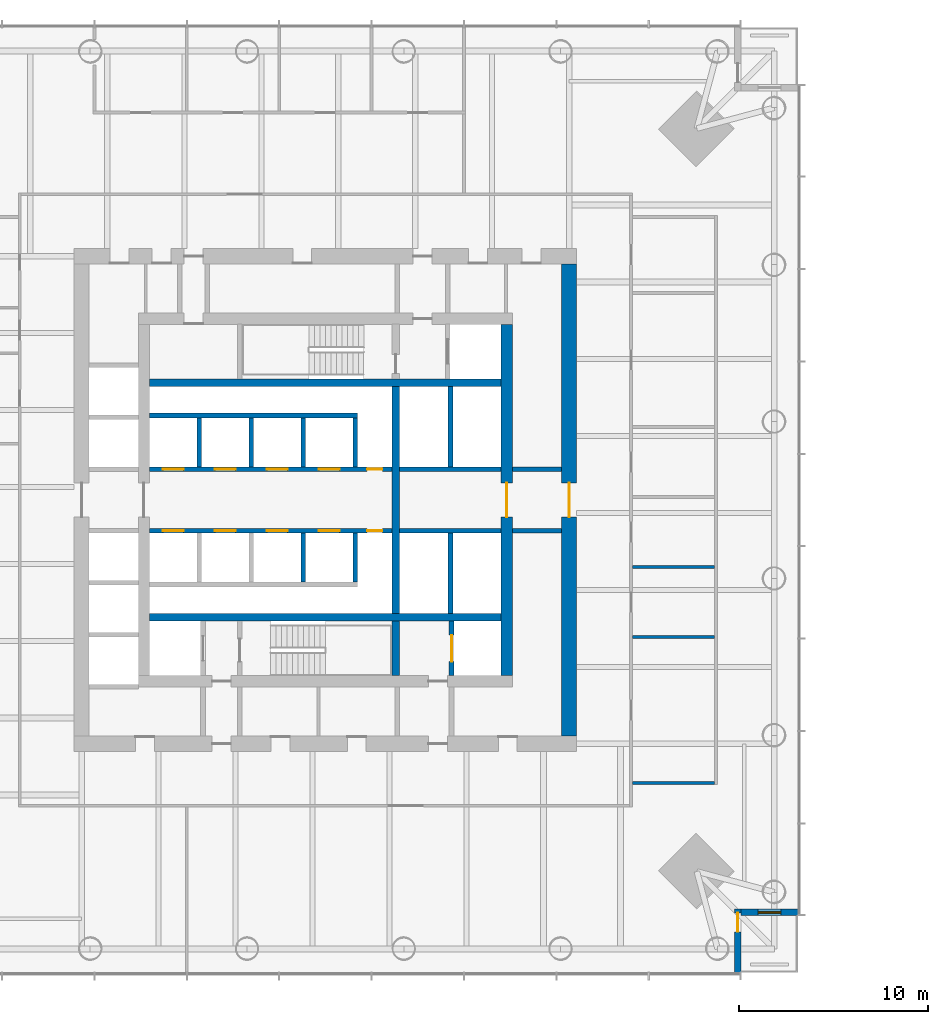
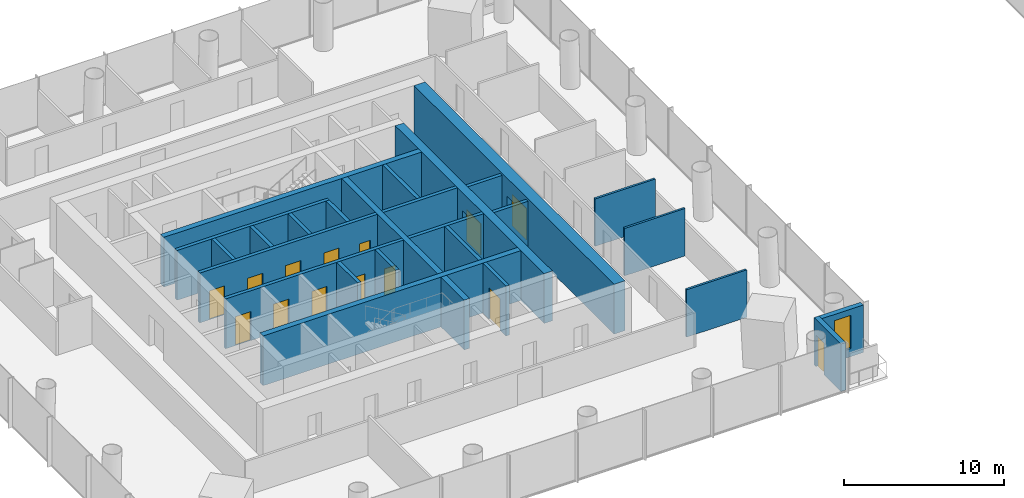
# One storey, part 10 of 20: 27 walls, 14 doors, 1 window, 15 openings.
"""IFC4 building model written with IfcOpenShell, lengths in metres."""

from ifc_helpers import new_model, si_unit, direction, frame, frame_2d, origin, place, context, subcontext, project, spatial, rectangle, extrude, material, layer, layer_set, type_object, element, fill, save


model = new_model("IFC4")

# Units and contexts
model_context = context("Model", 3, precision=1e-05, world=origin(), true_north=direction((0.0, 1.0)))
body_context = subcontext(model_context, "Body", "Model", "MODEL_VIEW")
ifc_project = project(units=[si_unit("LENGTHUNIT", "METRE"), si_unit("AREAUNIT", "SQUARE_METRE"), si_unit("VOLUMEUNIT", "CUBIC_METRE"), si_unit("PLANEANGLEUNIT", "RADIAN"), si_unit("MASSUNIT", "GRAM", prefix="KILO")], contexts=[model_context])

# Site, building, storey
site_placement = place(None, origin())
site = spatial("IfcSite", under=ifc_project, at=site_placement, CompositionType="ELEMENT")
building_placement = place(site_placement, origin())
building = spatial("IfcBuilding", under=site, at=building_placement, Name="Ostroluk Exchange", CompositionType="ELEMENT")
storey_placement = place(building_placement, frame((0.0, 0.0, 28.60009765625)))
storey = spatial("IfcBuildingStorey", under=building, at=storey_placement, Name="L06", CompositionType="ELEMENT", Elevation=28.60009765625)

# Walls
ifc_material_1 = material(Name="Concrete blockwork", Category="masonry")
ifc_layer_1 = layer(ifc_material_1, 0.25)
ifc_layer_set_1 = layer_set([ifc_layer_1], Name="Blockwork stair enclosure wall 250")
wall_type_1 = type_object("IfcWallType", Name="Blockwork stair enclosure wall 250", PredefinedType="SOLIDWALL", material=ifc_layer_set_1)
for number, where, z_axis, x_axis, name in (
    (1, (54.89990234375, 44.375, 0.0), (0.0, 0.0, 1.0), (1.0, 0.0, 0.0), "Lift lobby enclosure wall"),
    (2, (54.89990234375, 47.625, 0.0), (0.0, 0.0, 1.0), (1.0, 0.0, 0.0), "Lift lobby enclosure wall"),
):
    element("IfcWall", number, at=place(storey_placement, frame(where, z_axis=z_axis, x_axis=x_axis)), inside=storey, type_object=wall_type_1, Name=name, PredefinedType="SOLIDWALL", context=body_context, shape_type="SweptSolid", body=[
        extrude(rectangle(XDim=2.60009765625, YDim=0.25, at=frame_2d((1.300048828125, 0.0))), origin(), (0.0, 0.0, 1.0), 3.619873046875),
    ])
ifc_material_2 = material(Name="Concrete C50/60", Category="concrete")
ifc_layer_2 = layer(ifc_material_2, 0.39990234375)
ifc_layer_set_2 = layer_set([ifc_layer_2], Name="Core cross wall 400 C50/60")
wall_type_2 = type_object("IfcWallType", Name="Core cross wall 400 C50/60", PredefinedType="SHEAR", material=ifc_layer_set_2)
for number, where, z_axis, x_axis, name in (
    (3, (35.699951171875, 39.800048828125, 0.0), (0.0, 0.0, 1.0), (1.0, 0.0, 0.0), "T1 core wall XS"),
    (4, (35.699951171875, 52.199951171875, 0.0), (0.0, 0.0, 1.0), (1.0, 0.0, 0.0), "T1 core wall XN"),
):
    element("IfcWall", number, at=place(storey_placement, frame(where, z_axis=z_axis, x_axis=x_axis)), inside=storey, type_object=wall_type_2, Name=name, PredefinedType="SHEAR", context=body_context, shape_type="SweptSolid", body=[
        extrude(rectangle(XDim=18.60009765625, YDim=0.39990234375, at=frame_2d((9.300048828125, 0.0))), origin(), (0.0, 0.0, 1.0), 3.7998046875),
    ])
wall_1_placement = place(storey_placement, frame((48.72998046875, 36.699951171875, 0.0), z_axis=(0.0, 0.0, 1.0), x_axis=(0.0, 1.0, 0.0)))
element("IfcWall", 5, at=wall_1_placement, inside=storey, type_object=wall_type_2, Name="T1 core wall YE1", PredefinedType="SHEAR", context=body_context, shape_type="SweptSolid", body=[
    extrude(rectangle(XDim=2.900146484375, YDim=0.39990234375, at=frame_2d((1.4501953125, 0.0))), origin(), (0.0, 0.0, 1.0), 3.7998046875),
])
wall_2_placement = place(storey_placement, frame((48.72998046875, 40.0, 0.0), z_axis=(0.0, 0.0, 1.0), x_axis=(0.0, 1.0, 0.0)))
element("IfcWall", 6, at=wall_2_placement, inside=storey, type_object=wall_type_2, Name="T1 core wall YE2", PredefinedType="SHEAR", context=body_context, shape_type="SweptSolid", body=[
    extrude(rectangle(XDim=12.0, YDim=0.39990234375, at=frame_2d((6.0, 0.0))), origin(), (0.0, 0.0, 1.0), 3.7998046875),
])

# Wall, opening, door
ifc_material_3 = material(Name="Concrete C40/50", Category="concrete")
ifc_layer_3 = layer(ifc_material_3, 0.25)
ifc_layer_set_3 = layer_set([ifc_layer_3], Name="Core shaft wall 250")
wall_type_3 = type_object("IfcWallType", Name="Core shaft wall 250", PredefinedType="SHEAR", material=ifc_layer_set_3)
wall_3_placement = place(storey_placement, frame((51.675048828125, 36.699951171875, 0.0), z_axis=(0.0, 0.0, 1.0), x_axis=(0.0, 1.0, 0.0)))
wall_3 = element("IfcWall", 7, at=wall_3_placement, inside=storey, type_object=wall_type_3, Name="Service lift shaft wall", PredefinedType="SHEAR", context=body_context, shape_type="SweptSolid", body=[
    extrude(rectangle(XDim=2.900146484375, YDim=0.25, at=frame_2d((1.4501953125, 0.0))), origin(), (0.0, 0.0, 1.0), 3.7998046875),
])
opening_1_placement = place(wall_3_placement, frame((0.75, 0.0, 0.0)))
opening_1 = element("IfcOpeningElement", 8, at=opening_1_placement, cuts=wall_3, Name="Opening LD3", PredefinedType="OPENING", context=body_context, shape_type="SweptSolid", body=[
    extrude(rectangle(XDim=1.39990234375, YDim=2.39990234375, at=frame_2d((0.699951171875, 1.199951171875))), frame((0.0, 0.135009765625, 0.0), z_axis=(0.0, -1.0, 0.0), x_axis=(1.0, 0.0, 0.0)), (0.0, 0.0, 1.0), 0.27001953125),
])
ifc_material_4 = material(Name="Stainless steel", Category="steel")
door_type_1 = type_object("IfcDoorType", Name="Goods lift landing door E 60 1400 x 2400", OperationType="DOUBLE_DOOR_SLIDING", PredefinedType="DOOR", material=ifc_material_4)
door_1_placement = place(opening_1_placement, origin())
door_1 = element("IfcDoor", 9, at=door_1_placement, inside=storey, type_object=door_type_1, Name="Lift SL1 landing door", OperationType="DOUBLE_DOOR_SLIDING", OverallHeight=2.39990234375, OverallWidth=1.39990234375, PredefinedType="DOOR", context=body_context, shape_type="SweptSolid", body=[
    extrude(rectangle(XDim=1.39990234375, YDim=2.39990234375, at=frame_2d((0.699951171875, 1.199951171875))), frame((0.0, 0.02490234375, 0.0), z_axis=(0.0, -1.0, 0.0), x_axis=(1.0, 0.0, 0.0)), (0.0, 0.0, 1.0), 0.050048828125),
])
fill(opening_1, door_1)

# Walls
for number, where, z_axis, x_axis, name in (
    (10, (38.324951171875, 47.75, 0.0), (0.0, 0.0, 1.0), (0.0, 1.0, 0.0), "Lift shaft wall"),
    (11, (41.074951171875, 47.75, 0.0), (0.0, 0.0, 1.0), (0.0, 1.0, 0.0), "Lift shaft wall"),
    (12, (43.824951171875, 47.75, 0.0), (0.0, 0.0, 1.0), (0.0, 1.0, 0.0), "Lift shaft wall"),
    (13, (46.574951171875, 47.75, 0.0), (0.0, 0.0, 1.0), (0.0, 1.0, 0.0), "Lift shaft wall"),
):
    element("IfcWall", number, at=place(storey_placement, frame(where, z_axis=z_axis, x_axis=x_axis)), inside=storey, type_object=wall_type_3, Name=name, PredefinedType="SHEAR", context=body_context, shape_type="SweptSolid", body=[
        extrude(rectangle(XDim=2.60009765625, YDim=0.25, at=frame_2d((1.300048828125, 0.0))), origin(), (0.0, 0.0, 1.0), 3.7998046875),
    ])
wall_4_placement = place(storey_placement, frame((35.699951171875, 50.47509765625, 0.0), z_axis=(0.0, 0.0, 1.0), x_axis=(1.0, 0.0, 0.0)))
element("IfcWall", 14, at=wall_4_placement, inside=storey, type_object=wall_type_3, Name="Lift shaft wall", PredefinedType="SHEAR", context=body_context, shape_type="SweptSolid", body=[
    extrude(rectangle(XDim=11.0, YDim=0.25, at=frame_2d((5.5, 0.0))), origin(), (0.0, 0.0, 1.0), 3.7998046875),
])

# Wall, openings, doors
wall_5_placement = place(storey_placement, frame((35.699951171875, 47.625, 0.0), z_axis=(0.0, 0.0, 1.0), x_axis=(1.0, 0.0, 0.0)))
wall_5 = element("IfcWall", 15, at=wall_5_placement, inside=storey, type_object=wall_type_3, Name="Lift shaft front wall", PredefinedType="SHEAR", context=body_context, shape_type="SweptSolid", body=[
    extrude(rectangle(XDim=12.830078125, YDim=0.25, at=frame_2d((6.4150390625, 0.0))), origin(), (0.0, 0.0, 1.0), 3.7998046875),
])
opening_2_placement = place(wall_5_placement, frame((0.699951171875, 0.0, 0.0)))
opening_2 = element("IfcOpeningElement", 16, at=opening_2_placement, cuts=wall_5, Name="Opening LD", PredefinedType="OPENING", context=body_context, shape_type="SweptSolid", body=[
    extrude(rectangle(XDim=1.10009765625, YDim=2.199951171875, at=frame_2d((0.550048828125, 1.10009765625))), frame((0.0, 0.135009765625, 0.0), z_axis=(0.0, -1.0, 0.0), x_axis=(1.0, 0.0, 0.0)), (0.0, 0.0, 1.0), 0.27001953125),
])
opening_3_placement = place(wall_5_placement, frame((3.449951171875, 0.0, 0.0)))
opening_3 = element("IfcOpeningElement", 17, at=opening_3_placement, cuts=wall_5, Name="Opening LD", PredefinedType="OPENING", context=body_context, shape_type="SweptSolid", body=[
    extrude(rectangle(XDim=1.10009765625, YDim=2.199951171875, at=frame_2d((0.550048828125, 1.10009765625))), frame((0.0, 0.135009765625, 0.0), z_axis=(0.0, -1.0, 0.0), x_axis=(1.0, 0.0, 0.0)), (0.0, 0.0, 1.0), 0.27001953125),
])
opening_4_placement = place(wall_5_placement, frame((6.199951171875, 0.0, 0.0)))
opening_4 = element("IfcOpeningElement", 18, at=opening_4_placement, cuts=wall_5, Name="Opening LD", PredefinedType="OPENING", context=body_context, shape_type="SweptSolid", body=[
    extrude(rectangle(XDim=1.10009765625, YDim=2.199951171875, at=frame_2d((0.550048828125, 1.10009765625))), frame((0.0, 0.135009765625, 0.0), z_axis=(0.0, -1.0, 0.0), x_axis=(1.0, 0.0, 0.0)), (0.0, 0.0, 1.0), 0.27001953125),
])
opening_5_placement = place(wall_5_placement, frame((8.949951171875, 0.0, 0.0)))
opening_5 = element("IfcOpeningElement", 19, at=opening_5_placement, cuts=wall_5, Name="Opening LD", PredefinedType="OPENING", context=body_context, shape_type="SweptSolid", body=[
    extrude(rectangle(XDim=1.10009765625, YDim=2.199951171875, at=frame_2d((0.550048828125, 1.10009765625))), frame((0.0, 0.135009765625, 0.0), z_axis=(0.0, -1.0, 0.0), x_axis=(1.0, 0.0, 0.0)), (0.0, 0.0, 1.0), 0.27001953125),
])
opening_6_placement = place(wall_5_placement, frame((11.514892578125, 0.0, 0.0)))
opening_6 = element("IfcOpeningElement", 20, at=opening_6_placement, cuts=wall_5, Name="Opening RD60", PredefinedType="OPENING", context=body_context, shape_type="SweptSolid", body=[
    extrude(rectangle(XDim=0.800048828125, YDim=2.0, at=frame_2d((0.39990234375, 1.0))), frame((0.0, 0.135009765625, 0.0), z_axis=(0.0, -1.0, 0.0), x_axis=(1.0, 0.0, 0.0)), (0.0, 0.0, 1.0), 0.27001953125),
])
ifc_material_5 = material(Name="Stainless steel", Category="steel")
door_type_2 = type_object("IfcDoorType", Name="Lift landing door E 60 1100 x 2200", OperationType="DOUBLE_DOOR_SLIDING", PredefinedType="DOOR", material=ifc_material_5)
door_2_placement = place(opening_2_placement, origin())
door_2 = element("IfcDoor", 21, at=door_2_placement, inside=storey, type_object=door_type_2, Name="Lift PL-L1 landing door", OperationType="DOUBLE_DOOR_SLIDING", OverallHeight=2.199951171875, OverallWidth=1.10009765625, PredefinedType="DOOR", context=body_context, shape_type="SweptSolid", body=[
    extrude(rectangle(XDim=1.10009765625, YDim=2.199951171875, at=frame_2d((0.550048828125, 1.10009765625))), frame((0.0, 0.02490234375, 0.0), z_axis=(0.0, -1.0, 0.0), x_axis=(1.0, 0.0, 0.0)), (0.0, 0.0, 1.0), 0.050048828125),
])
fill(opening_2, door_2)
door_3_placement = place(opening_3_placement, origin())
door_3 = element("IfcDoor", 22, at=door_3_placement, inside=storey, type_object=door_type_2, Name="Lift PL-L2 landing door", OperationType="DOUBLE_DOOR_SLIDING", OverallHeight=2.199951171875, OverallWidth=1.10009765625, PredefinedType="DOOR", context=body_context, shape_type="SweptSolid", body=[
    extrude(rectangle(XDim=1.10009765625, YDim=2.199951171875, at=frame_2d((0.550048828125, 1.10009765625))), frame((0.0, 0.02490234375, 0.0), z_axis=(0.0, -1.0, 0.0), x_axis=(1.0, 0.0, 0.0)), (0.0, 0.0, 1.0), 0.050048828125),
])
fill(opening_3, door_3)
door_4_placement = place(opening_4_placement, origin())
door_4 = element("IfcDoor", 23, at=door_4_placement, inside=storey, type_object=door_type_2, Name="Lift PL-L3 landing door", OperationType="DOUBLE_DOOR_SLIDING", OverallHeight=2.199951171875, OverallWidth=1.10009765625, PredefinedType="DOOR", context=body_context, shape_type="SweptSolid", body=[
    extrude(rectangle(XDim=1.10009765625, YDim=2.199951171875, at=frame_2d((0.550048828125, 1.10009765625))), frame((0.0, 0.02490234375, 0.0), z_axis=(0.0, -1.0, 0.0), x_axis=(1.0, 0.0, 0.0)), (0.0, 0.0, 1.0), 0.050048828125),
])
fill(opening_4, door_4)
door_5_placement = place(opening_5_placement, origin())
door_5 = element("IfcDoor", 24, at=door_5_placement, inside=storey, type_object=door_type_2, Name="Lift PL-L4 landing door", OperationType="DOUBLE_DOOR_SLIDING", OverallHeight=2.199951171875, OverallWidth=1.10009765625, PredefinedType="DOOR", context=body_context, shape_type="SweptSolid", body=[
    extrude(rectangle(XDim=1.10009765625, YDim=2.199951171875, at=frame_2d((0.550048828125, 1.10009765625))), frame((0.0, 0.02490234375, 0.0), z_axis=(0.0, -1.0, 0.0), x_axis=(1.0, 0.0, 0.0)), (0.0, 0.0, 1.0), 0.050048828125),
])
fill(opening_5, door_5)
ifc_material_6 = material(Name="Steel", Category="steel")
door_type_3 = type_object("IfcDoorType", Name="Riser access door EI 60 800 x 2000", OperationType="SINGLE_SWING_LEFT", PredefinedType="DOOR", material=ifc_material_6)
door_6_placement = place(opening_6_placement, origin())
door_6 = element("IfcDoor", 25, at=door_6_placement, inside=storey, type_object=door_type_3, Name="Riser access door", OperationType="SINGLE_SWING_RIGHT", OverallHeight=2.0, OverallWidth=0.800048828125, PredefinedType="DOOR", context=body_context, shape_type="SweptSolid", body=[
    extrude(rectangle(XDim=0.800048828125, YDim=2.0, at=frame_2d((0.39990234375, 1.0))), frame((0.0, 0.02490234375, 0.0), z_axis=(0.0, -1.0, 0.0), x_axis=(1.0, 0.0, 0.0)), (0.0, 0.0, 1.0), 0.050048828125),
])
fill(opening_6, door_6)

# Walls
for number, where, z_axis, x_axis, name in (
    (26, (43.824951171875, 44.25, 0.0), (0.0, 0.0, 1.0), (0.0, -1.0, 0.0), "Lift shaft wall"),
    (27, (46.574951171875, 44.25, 0.0), (0.0, 0.0, 1.0), (0.0, -1.0, 0.0), "Lift shaft wall"),
):
    element("IfcWall", number, at=place(storey_placement, frame(where, z_axis=z_axis, x_axis=x_axis)), inside=storey, type_object=wall_type_3, Name=name, PredefinedType="SHEAR", context=body_context, shape_type="SweptSolid", body=[
        extrude(rectangle(XDim=2.60009765625, YDim=0.25, at=frame_2d((1.300048828125, 0.0))), origin(), (0.0, 0.0, 1.0), 3.7998046875),
    ])

# Wall, openings, doors
wall_6_placement = place(storey_placement, frame((35.699951171875, 44.375, 0.0), z_axis=(0.0, 0.0, 1.0), x_axis=(1.0, 0.0, 0.0)))
wall_6 = element("IfcWall", 28, at=wall_6_placement, inside=storey, type_object=wall_type_3, Name="Lift shaft front wall", PredefinedType="SHEAR", context=body_context, shape_type="SweptSolid", body=[
    extrude(rectangle(XDim=12.830078125, YDim=0.25, at=frame_2d((6.4150390625, 0.0))), origin(), (0.0, 0.0, 1.0), 3.7998046875),
])
opening_7_placement = place(wall_6_placement, frame((0.699951171875, 0.0, 0.0)))
opening_7 = element("IfcOpeningElement", 29, at=opening_7_placement, cuts=wall_6, Name="Opening LD", PredefinedType="OPENING", context=body_context, shape_type="SweptSolid", body=[
    extrude(rectangle(XDim=1.10009765625, YDim=2.199951171875, at=frame_2d((0.550048828125, 1.10009765625))), frame((0.0, 0.135009765625, 0.0), z_axis=(0.0, -1.0, 0.0), x_axis=(1.0, 0.0, 0.0)), (0.0, 0.0, 1.0), 0.27001953125),
])
opening_8_placement = place(wall_6_placement, frame((3.449951171875, 0.0, 0.0)))
opening_8 = element("IfcOpeningElement", 30, at=opening_8_placement, cuts=wall_6, Name="Opening LD", PredefinedType="OPENING", context=body_context, shape_type="SweptSolid", body=[
    extrude(rectangle(XDim=1.10009765625, YDim=2.199951171875, at=frame_2d((0.550048828125, 1.10009765625))), frame((0.0, 0.135009765625, 0.0), z_axis=(0.0, -1.0, 0.0), x_axis=(1.0, 0.0, 0.0)), (0.0, 0.0, 1.0), 0.27001953125),
])
opening_9_placement = place(wall_6_placement, frame((6.199951171875, 0.0, 0.0)))
opening_9 = element("IfcOpeningElement", 31, at=opening_9_placement, cuts=wall_6, Name="Opening LD", PredefinedType="OPENING", context=body_context, shape_type="SweptSolid", body=[
    extrude(rectangle(XDim=1.10009765625, YDim=2.199951171875, at=frame_2d((0.550048828125, 1.10009765625))), frame((0.0, 0.135009765625, 0.0), z_axis=(0.0, -1.0, 0.0), x_axis=(1.0, 0.0, 0.0)), (0.0, 0.0, 1.0), 0.27001953125),
])
opening_10_placement = place(wall_6_placement, frame((8.949951171875, 0.0, 0.0)))
opening_10 = element("IfcOpeningElement", 32, at=opening_10_placement, cuts=wall_6, Name="Opening LD", PredefinedType="OPENING", context=body_context, shape_type="SweptSolid", body=[
    extrude(rectangle(XDim=1.10009765625, YDim=2.199951171875, at=frame_2d((0.550048828125, 1.10009765625))), frame((0.0, 0.135009765625, 0.0), z_axis=(0.0, -1.0, 0.0), x_axis=(1.0, 0.0, 0.0)), (0.0, 0.0, 1.0), 0.27001953125),
])
opening_11_placement = place(wall_6_placement, frame((11.514892578125, 0.0, 0.0)))
opening_11 = element("IfcOpeningElement", 33, at=opening_11_placement, cuts=wall_6, Name="Opening RD60", PredefinedType="OPENING", context=body_context, shape_type="SweptSolid", body=[
    extrude(rectangle(XDim=0.800048828125, YDim=2.0, at=frame_2d((0.39990234375, 1.0))), frame((0.0, 0.135009765625, 0.0), z_axis=(0.0, -1.0, 0.0), x_axis=(1.0, 0.0, 0.0)), (0.0, 0.0, 1.0), 0.27001953125),
])
door_7_placement = place(opening_7_placement, origin())
door_7 = element("IfcDoor", 34, at=door_7_placement, inside=storey, type_object=door_type_2, Name="Lift PL-L5 landing door", OperationType="DOUBLE_DOOR_SLIDING", OverallHeight=2.199951171875, OverallWidth=1.10009765625, PredefinedType="DOOR", context=body_context, shape_type="SweptSolid", body=[
    extrude(rectangle(XDim=1.10009765625, YDim=2.199951171875, at=frame_2d((0.550048828125, 1.10009765625))), frame((0.0, 0.02490234375, 0.0), z_axis=(0.0, -1.0, 0.0), x_axis=(1.0, 0.0, 0.0)), (0.0, 0.0, 1.0), 0.050048828125),
])
fill(opening_7, door_7)
door_8_placement = place(opening_8_placement, origin())
door_8 = element("IfcDoor", 35, at=door_8_placement, inside=storey, type_object=door_type_2, Name="Lift PL-L6 landing door", OperationType="DOUBLE_DOOR_SLIDING", OverallHeight=2.199951171875, OverallWidth=1.10009765625, PredefinedType="DOOR", context=body_context, shape_type="SweptSolid", body=[
    extrude(rectangle(XDim=1.10009765625, YDim=2.199951171875, at=frame_2d((0.550048828125, 1.10009765625))), frame((0.0, 0.02490234375, 0.0), z_axis=(0.0, -1.0, 0.0), x_axis=(1.0, 0.0, 0.0)), (0.0, 0.0, 1.0), 0.050048828125),
])
fill(opening_8, door_8)
door_9_placement = place(opening_9_placement, origin())
door_9 = element("IfcDoor", 36, at=door_9_placement, inside=storey, type_object=door_type_2, Name="Lift PL-L7 landing door", OperationType="DOUBLE_DOOR_SLIDING", OverallHeight=2.199951171875, OverallWidth=1.10009765625, PredefinedType="DOOR", context=body_context, shape_type="SweptSolid", body=[
    extrude(rectangle(XDim=1.10009765625, YDim=2.199951171875, at=frame_2d((0.550048828125, 1.10009765625))), frame((0.0, 0.02490234375, 0.0), z_axis=(0.0, -1.0, 0.0), x_axis=(1.0, 0.0, 0.0)), (0.0, 0.0, 1.0), 0.050048828125),
])
fill(opening_9, door_9)
door_10_placement = place(opening_10_placement, origin())
door_10 = element("IfcDoor", 37, at=door_10_placement, inside=storey, type_object=door_type_2, Name="Lift PL-L8 landing door", OperationType="DOUBLE_DOOR_SLIDING", OverallHeight=2.199951171875, OverallWidth=1.10009765625, PredefinedType="DOOR", context=body_context, shape_type="SweptSolid", body=[
    extrude(rectangle(XDim=1.10009765625, YDim=2.199951171875, at=frame_2d((0.550048828125, 1.10009765625))), frame((0.0, 0.02490234375, 0.0), z_axis=(0.0, -1.0, 0.0), x_axis=(1.0, 0.0, 0.0)), (0.0, 0.0, 1.0), 0.050048828125),
])
fill(opening_10, door_10)
door_11_placement = place(opening_11_placement, origin())
door_11 = element("IfcDoor", 38, at=door_11_placement, inside=storey, type_object=door_type_3, Name="Riser access door", OperationType="SINGLE_SWING_RIGHT", OverallHeight=2.0, OverallWidth=0.800048828125, PredefinedType="DOOR", context=body_context, shape_type="SweptSolid", body=[
    extrude(rectangle(XDim=0.800048828125, YDim=2.0, at=frame_2d((0.39990234375, 1.0))), frame((0.0, 0.02490234375, 0.0), z_axis=(0.0, -1.0, 0.0), x_axis=(1.0, 0.0, 0.0)), (0.0, 0.0, 1.0), 0.050048828125),
])
fill(opening_11, door_11)

# Walls
wall_7_placement = place(storey_placement, frame((51.614990234375, 47.75, 0.0), z_axis=(0.0, 0.0, 1.0), x_axis=(0.0, 1.0, 0.0)))
element("IfcWall", 39, at=wall_7_placement, inside=storey, type_object=wall_type_3, Name="Lift shaft wall", PredefinedType="SHEAR", context=body_context, shape_type="SweptSolid", body=[
    extrude(rectangle(XDim=4.25, YDim=0.25, at=frame_2d((2.125, 0.0))), origin(), (0.0, 0.0, 1.0), 3.7998046875),
])
wall_8_placement = place(storey_placement, frame((48.929931640625, 47.625, 0.0), z_axis=(0.0, 0.0, 1.0), x_axis=(1.0, 0.0, 0.0)))
element("IfcWall", 40, at=wall_8_placement, inside=storey, type_object=wall_type_3, Name="Lift shaft front wall", PredefinedType="SHEAR", context=body_context, shape_type="SweptSolid", body=[
    extrude(rectangle(XDim=5.3701171875, YDim=0.25, at=frame_2d((2.68505859375, 0.0))), origin(), (0.0, 0.0, 1.0), 3.7998046875),
])
wall_9_placement = place(storey_placement, frame((51.614990234375, 44.25, 0.0), z_axis=(0.0, 0.0, 1.0), x_axis=(0.0, -1.0, 0.0)))
element("IfcWall", 41, at=wall_9_placement, inside=storey, type_object=wall_type_3, Name="Lift shaft wall", PredefinedType="SHEAR", context=body_context, shape_type="SweptSolid", body=[
    extrude(rectangle(XDim=4.25, YDim=0.25, at=frame_2d((2.125, 0.0))), origin(), (0.0, 0.0, 1.0), 3.7998046875),
])
wall_10_placement = place(storey_placement, frame((48.929931640625, 44.375, 0.0), z_axis=(0.0, 0.0, 1.0), x_axis=(1.0, 0.0, 0.0)))
element("IfcWall", 42, at=wall_10_placement, inside=storey, type_object=wall_type_3, Name="Lift shaft front wall", PredefinedType="SHEAR", context=body_context, shape_type="SweptSolid", body=[
    extrude(rectangle(XDim=5.3701171875, YDim=0.25, at=frame_2d((2.68505859375, 0.0))), origin(), (0.0, 0.0, 1.0), 3.7998046875),
])

# Wall, opening, door
ifc_material_7 = material(Name="Concrete C50/60", Category="concrete")
ifc_layer_4 = layer(ifc_material_7, 0.60009765625)
ifc_layer_set_4 = layer_set([ifc_layer_4], Name="Core wall 600 C50/60")
wall_type_4 = type_object("IfcWallType", Name="Core wall 600 C50/60", PredefinedType="SHEAR", material=ifc_layer_set_4)
wall_11_placement = place(storey_placement, frame((54.60009765625, 36.699951171875, 0.0), z_axis=(0.0, 0.0, 1.0), x_axis=(0.0, 1.0, 0.0)))
wall_11 = element("IfcWall", 43, at=wall_11_placement, inside=storey, type_object=wall_type_4, Name="T1 core wall E", PredefinedType="SHEAR", context=body_context, shape_type="SweptSolid", body=[
    extrude(rectangle(XDim=18.60009765625, YDim=0.60009765625, at=frame_2d((9.300048828125, 0.0))), origin(), (0.0, 0.0, 1.0), 3.7998046875),
])
opening_12_placement = place(wall_11_placement, frame((8.39990234375, 0.0, 0.0)))
opening_12 = element("IfcOpeningElement", 44, at=opening_12_placement, cuts=wall_11, Name="Opening FD30D", PredefinedType="OPENING", context=body_context, shape_type="SweptSolid", body=[
    extrude(rectangle(XDim=1.800048828125, YDim=2.39990234375, at=frame_2d((0.89990234375, 1.199951171875))), frame((0.0, 0.31005859375, 0.0), z_axis=(0.0, -1.0, 0.0), x_axis=(1.0, 0.0, 0.0)), (0.0, 0.0, 1.0), 0.6201171875),
])
ifc_material_8 = material(Name="Timber", Category="wood")
door_type_4 = type_object("IfcDoorType", Name="Lobby double door EI 30 1800 x 2400", OperationType="DOUBLE_DOOR_SINGLE_SWING", PredefinedType="DOOR", material=ifc_material_8)
door_12_placement = place(opening_12_placement, origin())
door_12 = element("IfcDoor", 45, at=door_12_placement, inside=storey, type_object=door_type_4, Name="Lift lobby doors", OperationType="DOUBLE_DOOR_SINGLE_SWING", OverallHeight=2.39990234375, OverallWidth=1.800048828125, PredefinedType="DOOR", context=body_context, shape_type="SweptSolid", body=[
    extrude(rectangle(XDim=1.800048828125, YDim=2.39990234375, at=frame_2d((0.89990234375, 1.199951171875))), frame((0.0, 0.02490234375, 0.0), z_axis=(0.0, -1.0, 0.0), x_axis=(1.0, 0.0, 0.0)), (0.0, 0.0, 1.0), 0.050048828125),
])
fill(opening_12, door_12)

ifc_material_9 = material(Name="Concrete C50/60", Category="concrete")
ifc_layer_5 = layer(ifc_material_9, 0.800048828125)
ifc_layer_set_5 = layer_set([ifc_layer_5], Name="Core wall 800 C50/60")
wall_type_5 = type_object("IfcWallType", Name="Core wall 800 C50/60", PredefinedType="SHEAR", material=ifc_layer_set_5)
wall_12_placement = place(storey_placement, frame((57.89990234375, 33.5, 0.0), z_axis=(0.0, 0.0, 1.0), x_axis=(0.0, 1.0, 0.0)))
wall_12 = element("IfcWall", 46, at=wall_12_placement, inside=storey, type_object=wall_type_5, Name="T1 core wall RE", PredefinedType="SHEAR", context=body_context, shape_type="SweptSolid", body=[
    extrude(rectangle(XDim=25.0, YDim=0.800048828125, at=frame_2d((12.5, 0.0))), origin(), (0.0, 0.0, 1.0), 3.7998046875),
])
opening_13_placement = place(wall_12_placement, frame((11.60009765625, 0.0, 0.0)))
opening_13 = element("IfcOpeningElement", 47, at=opening_13_placement, cuts=wall_12, Name="Opening FD30D", PredefinedType="OPENING", context=body_context, shape_type="SweptSolid", body=[
    extrude(rectangle(XDim=1.800048828125, YDim=2.39990234375, at=frame_2d((0.89990234375, 1.199951171875))), frame((0.0, 0.409912109375, 0.0), z_axis=(0.0, -1.0, 0.0), x_axis=(1.0, 0.0, 0.0)), (0.0, 0.0, 1.0), 0.820068359375),
])
door_13_placement = place(opening_13_placement, origin())
door_13 = element("IfcDoor", 48, at=door_13_placement, inside=storey, type_object=door_type_4, Name="Lift lobby doors", OperationType="DOUBLE_DOOR_SINGLE_SWING", OverallHeight=2.39990234375, OverallWidth=1.800048828125, PredefinedType="DOOR", context=body_context, shape_type="SweptSolid", body=[
    extrude(rectangle(XDim=1.800048828125, YDim=2.39990234375, at=frame_2d((0.89990234375, 1.199951171875))), frame((0.0, 0.02490234375, 0.0), z_axis=(0.0, -1.0, 0.0), x_axis=(1.0, 0.0, 0.0)), (0.0, 0.0, 1.0), 0.050048828125),
])
fill(opening_13, door_13)

ifc_material_10 = material(Name="Limestone", Category="masonry")
ifc_layer_6 = layer(ifc_material_10, 0.35009765625)
ifc_layer_set_6 = layer_set([ifc_layer_6], Name="Limestone facade wall 350")
wall_type_6 = type_object("IfcWallType", Name="Limestone facade wall 350", PredefinedType="SOLIDWALL", material=ifc_layer_set_6)
wall_13_placement = place(storey_placement, frame((66.824951171875, 21.0, 0.0), z_axis=(0.0, 0.0, 1.0), x_axis=(0.0, 1.0, 0.0)))
wall_13 = element("IfcWall", 49, at=wall_13_placement, inside=storey, type_object=wall_type_6, Name="Office tower SE corner wall L06 a", PredefinedType="SOLIDWALL", context=body_context, shape_type="SweptSolid", body=[
    extrude(rectangle(XDim=3.35009765625, YDim=0.35009765625, at=frame_2d((1.675048828125, 0.0))), origin(), (0.0, 0.0, 1.0), 3.619873046875),
])
opening_14_placement = place(wall_13_placement, frame((2.14990234375, 0.0, 0.0)))
opening_14 = element("IfcOpeningElement", 50, at=opening_14_placement, cuts=wall_13, Name="Opening D-B1", PredefinedType="OPENING", context=body_context, shape_type="SweptSolid", body=[
    extrude(rectangle(XDim=1.0, YDim=2.39990234375, at=frame_2d((0.5, 1.199951171875))), frame((0.0, 0.18505859375, 0.0), z_axis=(0.0, -1.0, 0.0), x_axis=(1.0, 0.0, 0.0)), (0.0, 0.0, 1.0), 0.3701171875),
])
ifc_material_11 = material(Name="Bronze framed glazed door", Category="aluminium")
door_type_5 = type_object("IfcDoorType", Name="Balcony door 1000 x 2400", OperationType="SINGLE_SWING_LEFT", PredefinedType="DOOR", material=ifc_material_11)
door_14_placement = place(opening_14_placement, origin())
door_14 = element("IfcDoor", 51, at=door_14_placement, inside=storey, type_object=door_type_5, Name="Office tower SE balcony door L06", OperationType="SINGLE_SWING_RIGHT", OverallHeight=2.39990234375, OverallWidth=1.0, PredefinedType="DOOR", context=body_context, shape_type="SweptSolid", body=[
    extrude(rectangle(XDim=1.0, YDim=2.39990234375, at=frame_2d((0.5, 1.199951171875))), frame((0.0, 0.02490234375, 0.0), z_axis=(0.0, -1.0, 0.0), x_axis=(1.0, 0.0, 0.0)), (0.0, 0.0, 1.0), 0.050048828125),
])
fill(opening_14, door_14)

# Wall, opening, window
wall_14_placement = place(storey_placement, frame((67.0, 24.175048828125, 0.0), z_axis=(0.0, 0.0, 1.0), x_axis=(1.0, 0.0, 0.0)))
wall_14 = element("IfcWall", 52, at=wall_14_placement, inside=storey, type_object=wall_type_6, Name="Office tower SE corner wall L06 b", PredefinedType="SOLIDWALL", context=body_context, shape_type="SweptSolid", body=[
    extrude(rectangle(XDim=3.0, YDim=0.35009765625, at=frame_2d((1.5, 0.0))), origin(), (0.0, 0.0, 1.0), 3.619873046875),
])
opening_15_placement = place(wall_14_placement, frame((0.89990234375, 0.0, 0.60009765625)))
opening_15 = element("IfcOpeningElement", 53, at=opening_15_placement, cuts=wall_14, Name="Opening WN-L1", PredefinedType="OPENING", context=body_context, shape_type="SweptSolid", body=[
    extrude(rectangle(XDim=1.199951171875, YDim=2.550048828125, at=frame_2d((0.60009765625, 1.27490234375))), frame((0.0, 0.18505859375, 0.0), z_axis=(0.0, -1.0, 0.0), x_axis=(1.0, 0.0, 0.0)), (0.0, 0.0, 1.0), 0.3701171875),
])
ifc_material_12 = material(Name="Laminated clear glass", Category="glass")
window_type = type_object("IfcWindowType", Name="Lancet window 1200 x 2550", PartitioningType="SINGLE_PANEL", PredefinedType="WINDOW", material=ifc_material_12)
window_placement = place(opening_15_placement, origin())
window = element("IfcWindow", 54, at=window_placement, inside=storey, type_object=window_type, Name="Office tower SE lancet window L06", OverallHeight=2.550048828125, OverallWidth=1.199951171875, PartitioningType="SINGLE_PANEL", PredefinedType="WINDOW", context=body_context, shape_type="SweptSolid", body=[
    extrude(rectangle(XDim=1.199951171875, YDim=2.550048828125, at=frame_2d((0.60009765625, 1.27490234375))), frame((0.0, 0.030029296875, 0.0), z_axis=(0.0, -1.0, 0.0), x_axis=(1.0, 0.0, 0.0)), (0.0, 0.0, 1.0), 0.06005859375),
])
fill(opening_15, window)

# Walls
ifc_material_13 = material(Name="Gypsum plasterboard partition", Category="gypsum")
ifc_layer_7 = layer(ifc_material_13, 0.14990234375)
ifc_layer_set_7 = layer_set([ifc_layer_7], Name="Plasterboard partition 150")
wall_type_7 = type_object("IfcWallType", Name="Plasterboard partition 150", PredefinedType="PARTITIONING", material=ifc_layer_set_7)
for number, where, z_axis, x_axis, name in (
    (55, (61.25, 31.02490234375, 0.0), (0.0, 0.0, 1.0), (1.0, 0.0, 0.0), "Partition"),
    (56, (61.25, 38.744140625, 0.0), (0.0, 0.0, 1.0), (1.0, 0.0, 0.0), "Partition"),
    (57, (61.25, 42.44921875, 0.0), (0.0, 0.0, 1.0), (1.0, 0.0, 0.0), "Partition"),
):
    element("IfcWall", number, at=place(storey_placement, frame(where, z_axis=z_axis, x_axis=x_axis)), inside=storey, type_object=wall_type_7, Name=name, PredefinedType="PARTITIONING", context=body_context, shape_type="SweptSolid", body=[
        extrude(rectangle(XDim=4.35009765625, YDim=0.14990234375, at=frame_2d((2.175048828125, 0.0))), origin(), (0.0, 0.0, 1.0), 3.619873046875),
    ])

save(model, "model.ifc")
